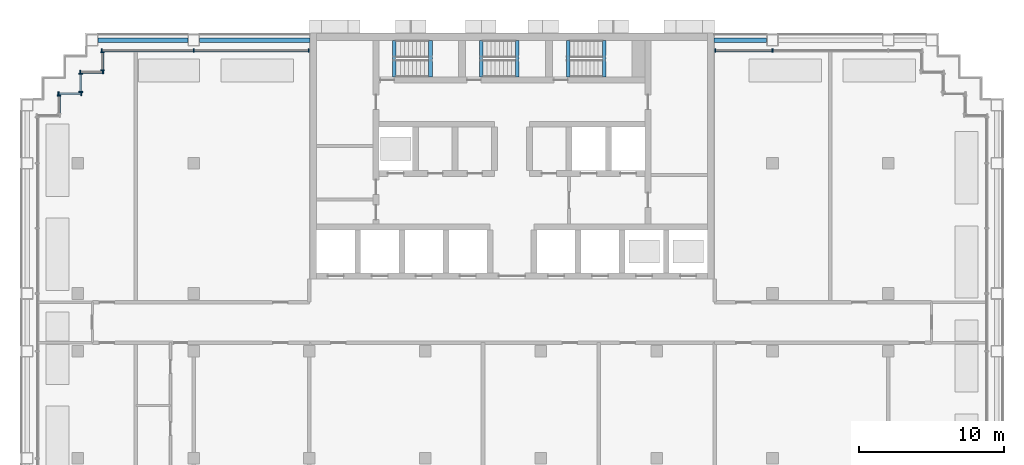
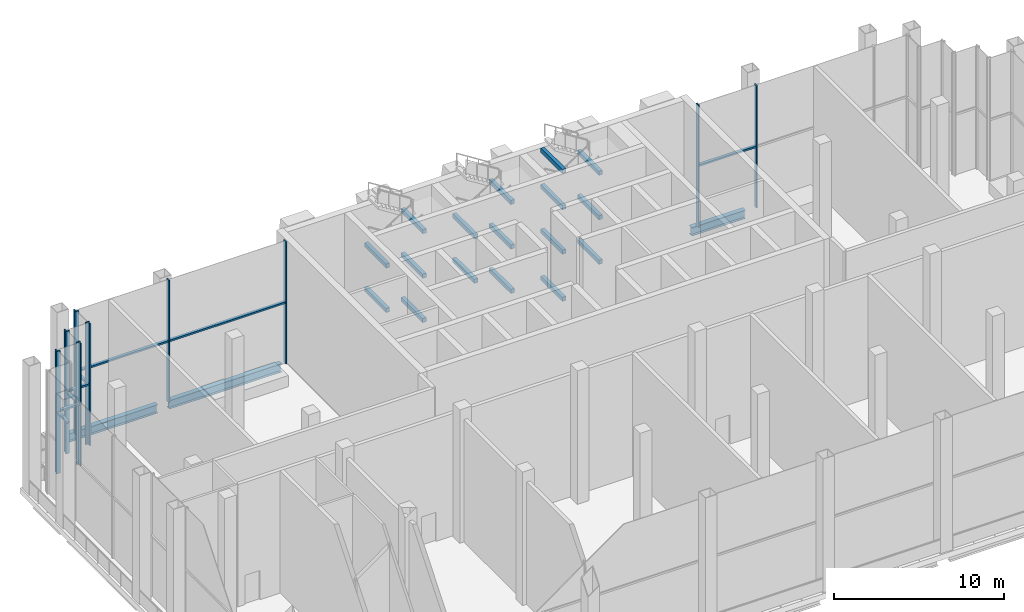
# One storey, part 4 of 16: 22 members, 20 beams, 7 elements without a shape of their own.
"""IFC4 building model written with IfcOpenShell, lengths in metres."""

from ifc_helpers import new_model, si_unit, direction, frame, origin, origin_2d, place, context, subcontext, project, spatial, rectangle, i_section, extrude, material, material_profile, profile_set, type_object, element, aggregate, save


model = new_model("IFC4")

# Units and contexts
model_context = context("Model", 3, precision=1e-05, world=origin(), true_north=direction((0.0, 1.0)))
body_context = subcontext(model_context, "Body", "Model", "MODEL_VIEW")
ifc_project = project(units=[si_unit("LENGTHUNIT", "METRE"), si_unit("AREAUNIT", "SQUARE_METRE"), si_unit("VOLUMEUNIT", "CUBIC_METRE"), si_unit("PLANEANGLEUNIT", "RADIAN"), si_unit("MASSUNIT", "GRAM", prefix="KILO")], contexts=[model_context])

# Site, building, storey
site_placement = place(None, origin())
site = spatial("IfcSite", under=ifc_project, at=site_placement, CompositionType="ELEMENT")
building_placement = place(site_placement, origin())
building = spatial("IfcBuilding", under=site, at=building_placement, Name="Vidyagriha Tower", CompositionType="ELEMENT")
storey_placement = place(building_placement, frame((0.0, 0.0, 151.800048828125)))
storey = spatial("IfcBuildingStorey", under=building, at=storey_placement, Name="L40", CompositionType="ELEMENT", Elevation=151.800048828125)

# Beams
ifc_material_1 = material(Name="Steel ASTM A992 Grade 50", Category="steel")
ifc_material_profile_1 = material_profile(ifc_material_1, i_section(OverallWidth=0.32373046875, OverallDepth=0.612060546875, WebThickness=0.0126953125, FlangeThickness=0.01904296875, at=origin_2d()), Name="W24X104")
ifc_profile_set_1 = profile_set([ifc_material_profile_1], Name="Steel ASTM A992 Grade 50")
beam_type_1 = type_object("IfcBeamType", Name="Edge beam W24X104", PredefinedType="SPANDREL", material=ifc_profile_set_1)
beam_1_placement = place(storey_placement, frame((-28.60009765625, 19.5, -0.7060546875), z_axis=(1.0, 0.0, 0.0), x_axis=(0.0, 1.0, 0.0)))
element("IfcBeam", 1, at=beam_1_placement, inside=storey, type_object=beam_type_1, Name="st-beam-L40-NW19", PredefinedType="SPANDREL", context=body_context, shape_type="SweptSolid", body=[
    extrude(i_section(OverallWidth=0.32373046875, OverallDepth=0.612060546875, WebThickness=0.0126953125, FlangeThickness=0.01904296875, at=origin_2d()), origin(), (0.0, 0.0, 1.0), 6.2001953125),
])
beam_2_placement = place(storey_placement, frame((-21.60009765625, 19.5, -0.7060546875), z_axis=(1.0, 0.0, 0.0), x_axis=(0.0, 1.0, 0.0)))
element("IfcBeam", 2, at=beam_2_placement, inside=storey, type_object=beam_type_1, Name="st-beam-L40-NC22", PredefinedType="SPANDREL", context=body_context, shape_type="SweptSolid", body=[
    extrude(i_section(OverallWidth=0.32373046875, OverallDepth=0.612060546875, WebThickness=0.0126953125, FlangeThickness=0.01904296875, at=origin_2d()), origin(), (0.0, 0.0, 1.0), 7.650146484375),
])
beam_3_placement = place(storey_placement, frame((13.949951171875, 19.5, -0.7060546875), z_axis=(1.0, 0.0, 0.0), x_axis=(0.0, 1.0, 0.0)))
element("IfcBeam", 3, at=beam_3_placement, inside=storey, type_object=beam_type_1, Name="st-beam-L40-NC23", PredefinedType="SPANDREL", context=body_context, shape_type="SweptSolid", body=[
    extrude(i_section(OverallWidth=0.32373046875, OverallDepth=0.612060546875, WebThickness=0.0126953125, FlangeThickness=0.01904296875, at=origin_2d()), origin(), (0.0, 0.0, 1.0), 3.650146484375),
])

# Curtain wall, members
ifc_material_2 = material(Name="Aluminium and glass curtain wall", Category="aluminium")
curtain_wall_type = type_object("IfcCurtainWallType", Name="Winter garden glazing wall", PredefinedType="USERDEFINED", material=ifc_material_2)
curtain_wall_1_placement = place(storey_placement, origin())
curtain_wall_1 = element("IfcCurtainWall", 4, at=curtain_wall_1_placement, inside=storey, type_object=curtain_wall_type, Name="CW3 winter garden glazing", ObjectType="STICK GLAZING", PredefinedType="USERDEFINED")
ifc_material_3 = material(Name="Aluminium black anodised", Category="aluminium")
ifc_material_profile_2 = material_profile(ifc_material_3, rectangle(XDim=0.260009765625, YDim=0.080078125, at=origin_2d()), Name="Mullion 80x260 black aluminium")
ifc_profile_set_2 = profile_set([ifc_material_profile_2], Name="Aluminium black anodised")
member_type_1 = type_object("IfcMemberType", Name="Mullion 80x260 black aluminium", PredefinedType="MULLION", material=ifc_profile_set_2)
member_1_placement = place(storey_placement, frame((18.0, 18.800048828125, 0.0), z_axis=(0.0, 0.0, 1.0), x_axis=(0.0, -1.0, 0.0)))
member_1 = element("IfcMember", 5, at=member_1_placement, type_object=member_type_1, Name="CW3 mullion 3", PredefinedType="MULLION", context=body_context, shape_type="SweptSolid", body=[
    extrude(rectangle(XDim=0.260009765625, YDim=0.080078125, at=origin_2d()), origin(), (0.0, 0.0, 1.0), 8.800048828125),
])
member_2_placement = place(storey_placement, frame((14.0400390625, 18.800048828125, 0.0), z_axis=(0.0, 0.0, 1.0), x_axis=(0.0, -1.0, 0.0)))
member_2 = element("IfcMember", 6, at=member_2_placement, type_object=member_type_1, Name="CW3 mullion 4", PredefinedType="MULLION", context=body_context, shape_type="SweptSolid", body=[
    extrude(rectangle(XDim=0.260009765625, YDim=0.080078125, at=origin_2d()), origin(), (0.0, 0.0, 1.0), 8.800048828125),
])

curtain_wall_2_placement = place(storey_placement, origin())
curtain_wall_2 = element("IfcCurtainWall", 7, at=curtain_wall_2_placement, inside=storey, type_object=curtain_wall_type, Name="CW3 winter garden glazing", ObjectType="STICK GLAZING", PredefinedType="USERDEFINED")
member_3_placement = place(storey_placement, frame((-14.0400390625, 18.800048828125, 0.0), z_axis=(0.0, 0.0, 1.0), x_axis=(0.0, -1.0, 0.0)))
member_3 = element("IfcMember", 8, at=member_3_placement, type_object=member_type_1, Name="CW3 mullion 1", PredefinedType="MULLION", context=body_context, shape_type="SweptSolid", body=[
    extrude(rectangle(XDim=0.260009765625, YDim=0.080078125, at=origin_2d()), origin(), (0.0, 0.0, 1.0), 8.800048828125),
])
member_4_placement = place(storey_placement, frame((-22.0, 18.800048828125, 0.0), z_axis=(0.0, 0.0, 1.0), x_axis=(0.0, -1.0, 0.0)))
member_4 = element("IfcMember", 9, at=member_4_placement, type_object=member_type_1, Name="CW3 mullion 2", PredefinedType="MULLION", context=body_context, shape_type="SweptSolid", body=[
    extrude(rectangle(XDim=0.260009765625, YDim=0.080078125, at=origin_2d()), origin(), (0.0, 0.0, 1.0), 8.800048828125),
])
member_5_placement = place(storey_placement, frame((-28.340087890625, 18.800048828125, 0.0), z_axis=(0.0, 0.0, 1.0), x_axis=(0.0, -1.0, 0.0)))
member_5 = element("IfcMember", 10, at=member_5_placement, type_object=member_type_1, Name="CW3 mullion 3", PredefinedType="MULLION", context=body_context, shape_type="SweptSolid", body=[
    extrude(rectangle(XDim=0.260009765625, YDim=0.080078125, at=origin_2d()), origin(), (0.0, 0.0, 1.0), 8.800048828125),
])

curtain_wall_3_placement = place(storey_placement, origin())
curtain_wall_3 = element("IfcCurtainWall", 11, at=curtain_wall_3_placement, inside=storey, type_object=curtain_wall_type, Name="CW3 winter garden glazing", ObjectType="STICK GLAZING", PredefinedType="USERDEFINED")
member_6_placement = place(storey_placement, frame((-28.300048828125, 18.679931640625, 0.0)))
member_6 = element("IfcMember", 12, at=member_6_placement, type_object=member_type_1, Name="CW3 mullion 1", PredefinedType="MULLION", context=body_context, shape_type="SweptSolid", body=[
    extrude(rectangle(XDim=0.260009765625, YDim=0.080078125, at=origin_2d()), origin(), (0.0, 0.0, 1.0), 8.800048828125),
])
member_7_placement = place(storey_placement, frame((-28.300048828125, 17.419921875, 0.0)))
member_7 = element("IfcMember", 13, at=member_7_placement, type_object=member_type_1, Name="CW3 mullion 2", PredefinedType="MULLION", context=body_context, shape_type="SweptSolid", body=[
    extrude(rectangle(XDim=0.260009765625, YDim=0.080078125, at=origin_2d()), origin(), (0.0, 0.0, 1.0), 8.800048828125),
])

curtain_wall_4_placement = place(storey_placement, origin())
curtain_wall_4 = element("IfcCurtainWall", 14, at=curtain_wall_4_placement, inside=storey, type_object=curtain_wall_type, Name="CW3 winter garden glazing", ObjectType="STICK GLAZING", PredefinedType="USERDEFINED")
member_8_placement = place(storey_placement, frame((-28.260009765625, 17.300048828125, 0.0), z_axis=(0.0, 0.0, 1.0), x_axis=(0.0, -1.0, 0.0)))
member_8 = element("IfcMember", 15, at=member_8_placement, type_object=member_type_1, Name="CW3 mullion 1", PredefinedType="MULLION", context=body_context, shape_type="SweptSolid", body=[
    extrude(rectangle(XDim=0.260009765625, YDim=0.080078125, at=origin_2d()), origin(), (0.0, 0.0, 1.0), 8.800048828125),
])
member_9_placement = place(storey_placement, frame((-29.840087890625, 17.300048828125, 0.0), z_axis=(0.0, 0.0, 1.0), x_axis=(0.0, -1.0, 0.0)))
member_9 = element("IfcMember", 16, at=member_9_placement, type_object=member_type_1, Name="CW3 mullion 2", PredefinedType="MULLION", context=body_context, shape_type="SweptSolid", body=[
    extrude(rectangle(XDim=0.260009765625, YDim=0.080078125, at=origin_2d()), origin(), (0.0, 0.0, 1.0), 8.800048828125),
])

curtain_wall_5_placement = place(storey_placement, origin())
curtain_wall_5 = element("IfcCurtainWall", 17, at=curtain_wall_5_placement, inside=storey, type_object=curtain_wall_type, Name="CW3 winter garden glazing", ObjectType="STICK GLAZING", PredefinedType="USERDEFINED")
member_10_placement = place(storey_placement, frame((-29.800048828125, 17.179931640625, 0.0)))
member_10 = element("IfcMember", 18, at=member_10_placement, type_object=member_type_1, Name="CW3 mullion 1", PredefinedType="MULLION", context=body_context, shape_type="SweptSolid", body=[
    extrude(rectangle(XDim=0.260009765625, YDim=0.080078125, at=origin_2d()), origin(), (0.0, 0.0, 1.0), 8.800048828125),
])
member_11_placement = place(storey_placement, frame((-29.800048828125, 15.919921875, 0.0)))
member_11 = element("IfcMember", 19, at=member_11_placement, type_object=member_type_1, Name="CW3 mullion 2", PredefinedType="MULLION", context=body_context, shape_type="SweptSolid", body=[
    extrude(rectangle(XDim=0.260009765625, YDim=0.080078125, at=origin_2d()), origin(), (0.0, 0.0, 1.0), 8.800048828125),
])

curtain_wall_6_placement = place(storey_placement, origin())
curtain_wall_6 = element("IfcCurtainWall", 20, at=curtain_wall_6_placement, inside=storey, type_object=curtain_wall_type, Name="CW3 winter garden glazing", ObjectType="STICK GLAZING", PredefinedType="USERDEFINED")
member_12_placement = place(storey_placement, frame((-29.760009765625, 15.800048828125, 0.0), z_axis=(0.0, 0.0, 1.0), x_axis=(0.0, -1.0, 0.0)))
member_12 = element("IfcMember", 21, at=member_12_placement, type_object=member_type_1, Name="CW3 mullion 1", PredefinedType="MULLION", context=body_context, shape_type="SweptSolid", body=[
    extrude(rectangle(XDim=0.260009765625, YDim=0.080078125, at=origin_2d()), origin(), (0.0, 0.0, 1.0), 8.800048828125),
])
member_13_placement = place(storey_placement, frame((-31.340087890625, 15.800048828125, 0.0), z_axis=(0.0, 0.0, 1.0), x_axis=(0.0, -1.0, 0.0)))
member_13 = element("IfcMember", 22, at=member_13_placement, type_object=member_type_1, Name="CW3 mullion 2", PredefinedType="MULLION", context=body_context, shape_type="SweptSolid", body=[
    extrude(rectangle(XDim=0.260009765625, YDim=0.080078125, at=origin_2d()), origin(), (0.0, 0.0, 1.0), 8.800048828125),
])

# Curtain wall, member
curtain_wall_7_placement = place(storey_placement, origin())
curtain_wall_7 = element("IfcCurtainWall", 23, at=curtain_wall_7_placement, inside=storey, type_object=curtain_wall_type, Name="CW3 winter garden glazing", ObjectType="STICK GLAZING", PredefinedType="USERDEFINED")
member_14_placement = place(storey_placement, frame((-31.300048828125, 15.679931640625, 0.0)))
member_14 = element("IfcMember", 24, at=member_14_placement, type_object=member_type_1, Name="CW3 mullion 1", PredefinedType="MULLION", context=body_context, shape_type="SweptSolid", body=[
    extrude(rectangle(XDim=0.260009765625, YDim=0.080078125, at=origin_2d()), origin(), (0.0, 0.0, 1.0), 8.800048828125),
])

# Beams
ifc_material_4 = material(Name="Concrete C40/50", Category="concrete")
ifc_material_profile_3 = material_profile(ifc_material_4, rectangle(XDim=0.25, YDim=0.300048828125, at=origin_2d()), Name="Stair landing bearing beam 250x300")
ifc_profile_set_3 = profile_set([ifc_material_profile_3], Name="Concrete C40/50")
beam_type_2 = type_object("IfcBeamType", Name="Stair landing bearing beam 250x300", PredefinedType="BEAM", material=ifc_profile_set_3)
for number, where, z_axis, x_axis, name in (
    (25, (3.875, 16.949951171875, -0.550048828125), (0.0, 1.0, 0.0), (-1.0, 0.0, 0.0), "ST3 floor landing bearing beam L40"),
    (26, (3.875, 16.949951171875, 8.64990234375), (0.0, 1.0, 0.0), (-1.0, 0.0, 0.0), "ST3 floor landing bearing beam L41"),
    (27, (-5.635009765625, 16.949951171875, 1.25), (0.0, 1.0, 0.0), (-1.0, 0.0, 0.0), "ST1 landing bearing beam L40"),
    (28, (-8.125, 16.949951171875, 2.849853515625), (0.0, 1.0, 0.0), (-1.0, 0.0, 0.0), "ST1 landing bearing beam L40"),
    (29, (-5.635009765625, 16.949951171875, 4.449951171875), (0.0, 1.0, 0.0), (-1.0, 0.0, 0.0), "ST1 landing bearing beam L40"),
    (30, (-8.125, 16.949951171875, 6.050048828125), (0.0, 1.0, 0.0), (-1.0, 0.0, 0.0), "ST1 landing bearing beam L40"),
    (31, (-5.635009765625, 16.949951171875, 7.64990234375), (0.0, 1.0, 0.0), (-1.0, 0.0, 0.0), "ST1 landing bearing beam L40"),
    (32, (0.364990234375, 16.949951171875, 1.25), (0.0, 1.0, 0.0), (-1.0, 0.0, 0.0), "ST2 landing bearing beam L40"),
    (33, (-2.125, 16.949951171875, 2.849853515625), (0.0, 1.0, 0.0), (-1.0, 0.0, 0.0), "ST2 landing bearing beam L40"),
    (34, (0.364990234375, 16.949951171875, 4.449951171875), (0.0, 1.0, 0.0), (-1.0, 0.0, 0.0), "ST2 landing bearing beam L40"),
    (35, (-2.125, 16.949951171875, 6.050048828125), (0.0, 1.0, 0.0), (-1.0, 0.0, 0.0), "ST2 landing bearing beam L40"),
    (36, (0.364990234375, 16.949951171875, 7.64990234375), (0.0, 1.0, 0.0), (-1.0, 0.0, 0.0), "ST2 landing bearing beam L40"),
    (37, (6.364990234375, 16.949951171875, 1.25), (0.0, 1.0, 0.0), (-1.0, 0.0, 0.0), "ST3 landing bearing beam L40"),
    (38, (3.875, 16.949951171875, 2.849853515625), (0.0, 1.0, 0.0), (-1.0, 0.0, 0.0), "ST3 landing bearing beam L40"),
    (39, (6.364990234375, 16.949951171875, 4.449951171875), (0.0, 1.0, 0.0), (-1.0, 0.0, 0.0), "ST3 landing bearing beam L40"),
    (40, (3.875, 16.949951171875, 6.050048828125), (0.0, 1.0, 0.0), (-1.0, 0.0, 0.0), "ST3 landing bearing beam L40"),
    (41, (6.364990234375, 16.949951171875, 7.64990234375), (0.0, 1.0, 0.0), (-1.0, 0.0, 0.0), "ST3 landing bearing beam L40"),
):
    element("IfcBeam", number, at=place(storey_placement, frame(where, z_axis=z_axis, x_axis=x_axis)), inside=storey, type_object=beam_type_2, Name=name, PredefinedType="BEAM", context=body_context, shape_type="SweptSolid", body=[
        extrude(rectangle(XDim=0.25, YDim=0.300048828125, at=origin_2d()), origin(), (0.0, 0.0, 1.0), 2.550048828125),
    ])

# Member
ifc_material_5 = material(Name="Aluminium black anodised", Category="aluminium")
ifc_material_profile_4 = material_profile(ifc_material_5, rectangle(XDim=0.199951171875, YDim=0.1201171875, at=origin_2d()), Name="Transom 120x200 black aluminium")
ifc_profile_set_4 = profile_set([ifc_material_profile_4], Name="Aluminium black anodised")
member_type_2 = type_object("IfcMemberType", Name="Transom 120x200 black aluminium", PredefinedType="USERDEFINED", material=ifc_profile_set_4)
member_15_placement = place(storey_placement, frame((17.9599609375, 18.800048828125, 4.39990234375), z_axis=(-1.0, 0.0, 0.0), x_axis=(0.0, -1.0, 0.0)))
member_15 = element("IfcMember", 42, at=member_15_placement, type_object=member_type_2, Name="CW3 transom 3.1", ObjectType="TRANSOM", PredefinedType="USERDEFINED", context=body_context, shape_type="SweptSolid", body=[
    extrude(rectangle(XDim=0.199951171875, YDim=0.1201171875, at=origin_2d()), origin(), (0.0, 0.0, 1.0), 3.8798828125),
])

aggregate(curtain_wall_1, [member_1, member_2, member_15])

member_16_placement = place(storey_placement, frame((-14.080078125, 18.800048828125, 4.39990234375), z_axis=(-1.0, 0.0, 0.0), x_axis=(0.0, -1.0, 0.0)))
member_16 = element("IfcMember", 43, at=member_16_placement, type_object=member_type_2, Name="CW3 transom 1.1", ObjectType="TRANSOM", PredefinedType="USERDEFINED", context=body_context, shape_type="SweptSolid", body=[
    extrude(rectangle(XDim=0.199951171875, YDim=0.1201171875, at=origin_2d()), origin(), (0.0, 0.0, 1.0), 7.8798828125),
])

member_17_placement = place(storey_placement, frame((-22.0400390625, 18.800048828125, 4.39990234375), z_axis=(-1.0, 0.0, 0.0), x_axis=(0.0, -1.0, 0.0)))
member_17 = element("IfcMember", 44, at=member_17_placement, type_object=member_type_2, Name="CW3 transom 2.1", ObjectType="TRANSOM", PredefinedType="USERDEFINED", context=body_context, shape_type="SweptSolid", body=[
    extrude(rectangle(XDim=0.199951171875, YDim=0.1201171875, at=origin_2d()), origin(), (0.0, 0.0, 1.0), 6.260009765625),
])

aggregate(curtain_wall_2, [member_3, member_4, member_5, member_16, member_17])

member_18_placement = place(storey_placement, frame((-28.300048828125, 18.639892578125, 4.39990234375), z_axis=(0.0, -1.0, 0.0), x_axis=(1.0, 0.0, 0.0)))
member_18 = element("IfcMember", 45, at=member_18_placement, type_object=member_type_2, Name="CW3 transom 1.1", ObjectType="TRANSOM", PredefinedType="USERDEFINED", context=body_context, shape_type="SweptSolid", body=[
    extrude(rectangle(XDim=0.199951171875, YDim=0.1201171875, at=origin_2d()), origin(), (0.0, 0.0, 1.0), 1.179931640625),
])

aggregate(curtain_wall_3, [member_6, member_7, member_18])

member_19_placement = place(storey_placement, frame((-28.300048828125, 17.300048828125, 4.39990234375), z_axis=(-1.0, 0.0, 0.0), x_axis=(0.0, -1.0, 0.0)))
member_19 = element("IfcMember", 46, at=member_19_placement, type_object=member_type_2, Name="CW3 transom 1.1", ObjectType="TRANSOM", PredefinedType="USERDEFINED", context=body_context, shape_type="SweptSolid", body=[
    extrude(rectangle(XDim=0.199951171875, YDim=0.1201171875, at=origin_2d()), origin(), (0.0, 0.0, 1.0), 1.5),
])

aggregate(curtain_wall_4, [member_8, member_9, member_19])

member_20_placement = place(storey_placement, frame((-29.800048828125, 17.139892578125, 4.39990234375), z_axis=(0.0, -1.0, 0.0), x_axis=(1.0, 0.0, 0.0)))
member_20 = element("IfcMember", 47, at=member_20_placement, type_object=member_type_2, Name="CW3 transom 1.1", ObjectType="TRANSOM", PredefinedType="USERDEFINED", context=body_context, shape_type="SweptSolid", body=[
    extrude(rectangle(XDim=0.199951171875, YDim=0.1201171875, at=origin_2d()), origin(), (0.0, 0.0, 1.0), 1.179931640625),
])

aggregate(curtain_wall_5, [member_10, member_11, member_20])

member_21_placement = place(storey_placement, frame((-29.800048828125, 15.800048828125, 4.39990234375), z_axis=(-1.0, 0.0, 0.0), x_axis=(0.0, -1.0, 0.0)))
member_21 = element("IfcMember", 48, at=member_21_placement, type_object=member_type_2, Name="CW3 transom 1.1", ObjectType="TRANSOM", PredefinedType="USERDEFINED", context=body_context, shape_type="SweptSolid", body=[
    extrude(rectangle(XDim=0.199951171875, YDim=0.1201171875, at=origin_2d()), origin(), (0.0, 0.0, 1.0), 1.5),
])

aggregate(curtain_wall_6, [member_12, member_13, member_21])

member_22_placement = place(storey_placement, frame((-31.300048828125, 15.639892578125, 4.39990234375), z_axis=(0.0, -1.0, 0.0), x_axis=(1.0, 0.0, 0.0)))
member_22 = element("IfcMember", 49, at=member_22_placement, type_object=member_type_2, Name="CW3 transom 1.1", ObjectType="TRANSOM", PredefinedType="USERDEFINED", context=body_context, shape_type="SweptSolid", body=[
    extrude(rectangle(XDim=0.199951171875, YDim=0.1201171875, at=origin_2d()), origin(), (0.0, 0.0, 1.0), 1.179931640625),
])

aggregate(curtain_wall_7, [member_14, member_22])

save(model, "model.ifc")
